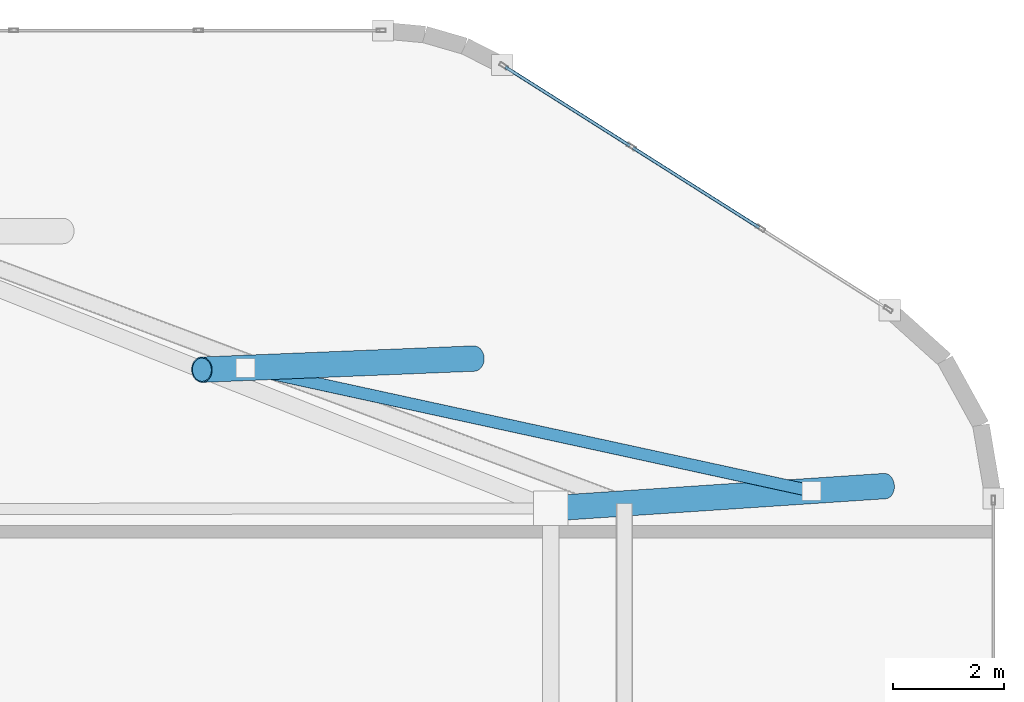
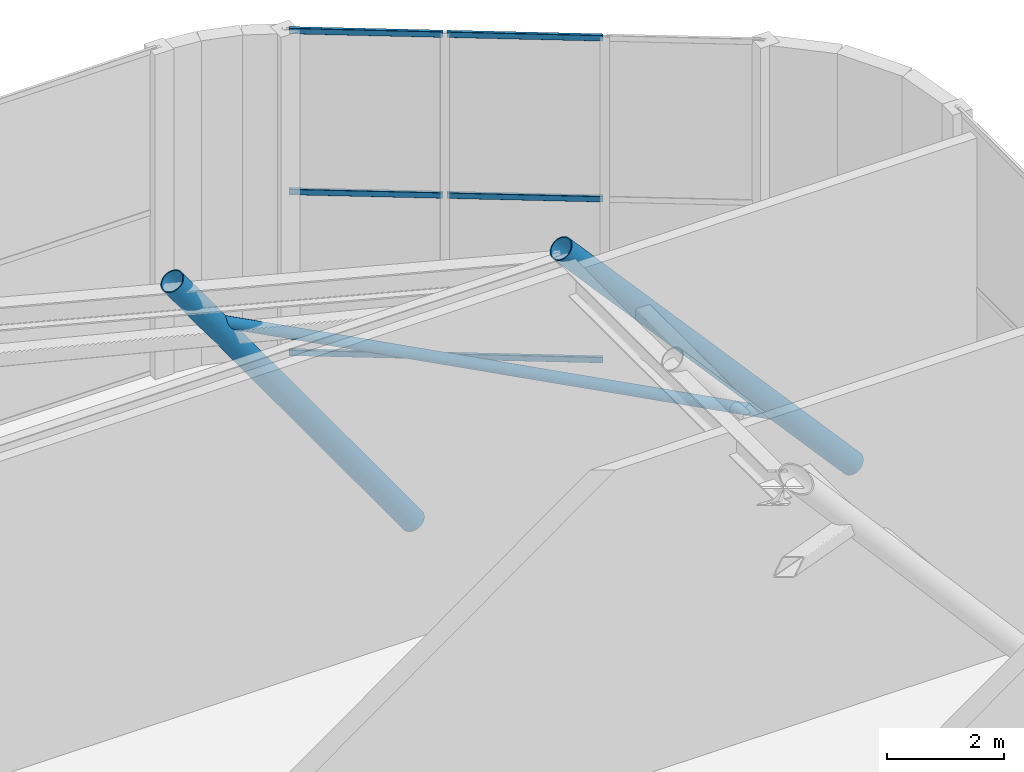
# One storey, part 18 of 24: 9 members, 1 element without a shape of its own.
"""IFC4 building model written with IfcOpenShell, lengths in metres."""

from ifc_helpers import new_model, si_unit, direction, frame, origin, origin_2d, place, context, subcontext, project, spatial, hollow_rectangle, hollow_circle, extrude, material, layer, layer_set, material_profile, profile_set, type_object, element, aggregate, save


model = new_model("IFC4")

# Units and contexts
model_context = context("Model", 3, precision=1e-05, world=origin(), true_north=direction((0.0, 1.0)))
body_context = subcontext(model_context, "Body", "Model", "MODEL_VIEW")
ifc_project = project(units=[si_unit("LENGTHUNIT", "METRE"), si_unit("AREAUNIT", "SQUARE_METRE"), si_unit("VOLUMEUNIT", "CUBIC_METRE"), si_unit("PLANEANGLEUNIT", "RADIAN"), si_unit("MASSUNIT", "GRAM", prefix="KILO")], contexts=[model_context])

# Site, building, storey
site_placement = place(None, origin())
site = spatial("IfcSite", under=ifc_project, at=site_placement, CompositionType="ELEMENT")
building_placement = place(site_placement, origin())
building = spatial("IfcBuilding", under=site, at=building_placement, Name="An Khanh Terracotta Commons", CompositionType="ELEMENT")
storey_placement = place(building_placement, frame((0.0, 0.0, 315.199951171875)))
storey = spatial("IfcBuildingStorey", under=building, at=storey_placement, Name="L80 Crown Cooling Plant", CompositionType="ELEMENT", Elevation=315.199951171875)

# Members
ifc_material_1 = material(Name="Steel S460ML", Category="steel")
ifc_material_profile_1 = material_profile(ifc_material_1, hollow_circle(Radius=0.109619140625, WallThickness=0.010009765625, at=origin_2d()), Name="CHS219.1x10")
ifc_profile_set_1 = profile_set([ifc_material_profile_1], Name="Steel S460ML")
member_type_1 = type_object("IfcMemberType", Name="CROWN FRAME BRACE CHS219", PredefinedType="BRACE", material=ifc_profile_set_1)
member_1_placement = place(storey_placement, frame((61.530029296875, 28.132080078125, 1.385009765625), z_axis=(-0.904832366175, 0.196755611094, 0.377578625753), x_axis=(-0.212484218307, -0.977164498419, 0.0)))
element("IfcMember", 1, at=member_1_placement, inside=storey, type_object=member_type_1, Name="L80 Crown Cooling Plant CROWN FRAME Wind Diagonal 4", PredefinedType="BRACE", context=body_context, shape_type="SweptSolid", body=[
    extrude(hollow_circle(Radius=0.109619140625, WallThickness=0.010009765625, at=origin_2d()), origin(), (0.0, 0.0, 1.0), 11.23193359375),
])
ifc_material_profile_2 = material_profile(ifc_material_1, hollow_circle(Radius=0.228515625, WallThickness=0.02001953125, at=origin_2d()), Name="CHS457x20")
ifc_profile_set_2 = profile_set([ifc_material_profile_2], Name="Steel S460ML")
member_type_2 = type_object("IfcMemberType", Name="CROWN FRAME RIB CHS457", PredefinedType="STRUT", material=ifc_profile_set_2)
member_2_placement = place(storey_placement, frame((62.85009765625, 28.219970703125, -0.119873046875), z_axis=(-0.658810290641, -0.043909963219, 0.751026574813), x_axis=(0.066502842363, -0.997786235602, 0.0)))
element("IfcMember", 2, at=member_2_placement, inside=storey, type_object=member_type_2, Name="L80 Crown Cooling Plant CROWN FRAME Corner Raking Rib 4", PredefinedType="STRUT", context=body_context, shape_type="SweptSolid", body=[
    extrude(hollow_circle(Radius=0.228515625, WallThickness=0.02001953125, at=origin_2d()), origin(), (0.0, 0.0, 1.0), 9.107421875),
])
member_3_placement = place(storey_placement, frame((55.469970703125, 30.510009765625, -0.119873046875), z_axis=(-0.580950149982, -0.023783962651, 0.813591572201), x_axis=(0.040905499286, -0.999163019796, 0.0)))
element("IfcMember", 3, at=member_3_placement, inside=storey, type_object=member_type_2, Name="L80 Crown Cooling Plant CROWN FRAME Facet Strut 4", PredefinedType="STRUT", context=body_context, shape_type="SweptSolid", body=[
    extrude(hollow_circle(Radius=0.228515625, WallThickness=0.02001953125, at=origin_2d()), origin(), (0.0, 0.0, 1.0), 8.406982421875),
])

# Curtain wall, members
ifc_material_2 = material(Name="Anodised Aluminium 6063-T6", Category="aluminium")
ifc_layer = layer(ifc_material_2, 0.18994140625, Name="Anodised Aluminium 6063-T6")
ifc_layer_set = layer_set([ifc_layer], Name="Anodised Aluminium 6063-T6")
curtain_wall_type = type_object("IfcCurtainWallType", Name="CW-SYS-06", PredefinedType="USERDEFINED", material=ifc_layer_set)
curtain_wall_placement = place(storey_placement, origin())
curtain_wall = element("IfcCurtainWall", 4, at=curtain_wall_placement, inside=storey, type_object=curtain_wall_type, Name="L80 Crown Cooling Plant CW-06 Unitised Curtain Wall CW-L80-16", ObjectType="UNITISED CURTAIN WALL", PredefinedType="USERDEFINED")
ifc_material_profile_3 = material_profile(ifc_material_2, hollow_rectangle(XDim=0.06005859375, YDim=0.1201171875, WallThickness=0.003662109375, InnerFilletRadius=0.003662109375, OuterFilletRadius=0.007080078125, at=origin_2d()), Name="RHS120x60x3.6")
ifc_profile_set_3 = profile_set([ifc_material_profile_3], Name="Anodised Aluminium 6063-T6")
member_type_3 = type_object("IfcMemberType", Name="CWT-RHS120x60x3.6", PredefinedType="USERDEFINED", material=ifc_profile_set_3)
member_4_placement = place(storey_placement, frame((60.591796875, 32.86279296875, 0.030029296875), z_axis=(-0.845098996916, 0.534609844103, 0.0), x_axis=(-0.534609844103, -0.845098996916, 0.0)))
member_4 = element("IfcMember", 5, at=member_4_placement, type_object=member_type_3, Name="CW-06 transom 2.1", ObjectType="TRANSOM", PredefinedType="USERDEFINED", context=body_context, shape_type="SweptSolid", body=[
    extrude(hollow_rectangle(XDim=0.06005859375, YDim=0.1201171875, WallThickness=0.003662109375, InnerFilletRadius=0.003662109375, OuterFilletRadius=0.007080078125, at=origin_2d()), origin(), (0.0, 0.0, 1.0), 2.6796875),
])
member_5_placement = place(storey_placement, frame((60.591796875, 32.86279296875, 3.400146484375), z_axis=(-0.845098996916, 0.534609844103, 0.0), x_axis=(-0.534609844103, -0.845098996916, 0.0)))
member_5 = element("IfcMember", 6, at=member_5_placement, type_object=member_type_3, Name="CW-06 transom 2.2", ObjectType="TRANSOM", PredefinedType="USERDEFINED", context=body_context, shape_type="SweptSolid", body=[
    extrude(hollow_rectangle(XDim=0.06005859375, YDim=0.1201171875, WallThickness=0.003662109375, InnerFilletRadius=0.003662109375, OuterFilletRadius=0.007080078125, at=origin_2d()), origin(), (0.0, 0.0, 1.0), 2.6796875),
])
member_6_placement = place(storey_placement, frame((60.591796875, 32.86279296875, 6.77001953125), z_axis=(-0.845098996916, 0.534609844103, 0.0), x_axis=(-0.534609844103, -0.845098996916, 0.0)))
member_6 = element("IfcMember", 7, at=member_6_placement, type_object=member_type_3, Name="CW-06 transom 2.3", ObjectType="TRANSOM", PredefinedType="USERDEFINED", context=body_context, shape_type="SweptSolid", body=[
    extrude(hollow_rectangle(XDim=0.06005859375, YDim=0.1201171875, WallThickness=0.003662109375, InnerFilletRadius=0.003662109375, OuterFilletRadius=0.007080078125, at=origin_2d()), origin(), (0.0, 0.0, 1.0), 2.6796875),
])
member_7_placement = place(storey_placement, frame((58.272216796875, 34.330078125, 0.030029296875), z_axis=(-0.845105195387, 0.534600045576, 0.0), x_axis=(-0.534600045576, -0.845105195387, 0.0)))
member_7 = element("IfcMember", 8, at=member_7_placement, type_object=member_type_3, Name="CW-06 transom 3.1", ObjectType="TRANSOM", PredefinedType="USERDEFINED", context=body_context, shape_type="SweptSolid", body=[
    extrude(hollow_rectangle(XDim=0.06005859375, YDim=0.1201171875, WallThickness=0.003662109375, InnerFilletRadius=0.003662109375, OuterFilletRadius=0.007080078125, at=origin_2d()), origin(), (0.0, 0.0, 1.0), 2.6474609375),
])
member_8_placement = place(storey_placement, frame((58.272216796875, 34.330078125, 3.400146484375), z_axis=(-0.845105195387, 0.534600045576, 0.0), x_axis=(-0.534600045576, -0.845105195387, 0.0)))
member_8 = element("IfcMember", 9, at=member_8_placement, type_object=member_type_3, Name="CW-06 transom 3.2", ObjectType="TRANSOM", PredefinedType="USERDEFINED", context=body_context, shape_type="SweptSolid", body=[
    extrude(hollow_rectangle(XDim=0.06005859375, YDim=0.1201171875, WallThickness=0.003662109375, InnerFilletRadius=0.003662109375, OuterFilletRadius=0.007080078125, at=origin_2d()), origin(), (0.0, 0.0, 1.0), 2.6474609375),
])
member_9_placement = place(storey_placement, frame((58.272216796875, 34.330078125, 6.77001953125), z_axis=(-0.845105195387, 0.534600045576, 0.0), x_axis=(-0.534600045576, -0.845105195387, 0.0)))
member_9 = element("IfcMember", 10, at=member_9_placement, type_object=member_type_3, Name="CW-06 transom 3.3", ObjectType="TRANSOM", PredefinedType="USERDEFINED", context=body_context, shape_type="SweptSolid", body=[
    extrude(hollow_rectangle(XDim=0.06005859375, YDim=0.1201171875, WallThickness=0.003662109375, InnerFilletRadius=0.003662109375, OuterFilletRadius=0.007080078125, at=origin_2d()), origin(), (0.0, 0.0, 1.0), 2.6474609375),
])
aggregate(curtain_wall, [member_4, member_5, member_6, member_7, member_8, member_9])

save(model, "model.ifc")
